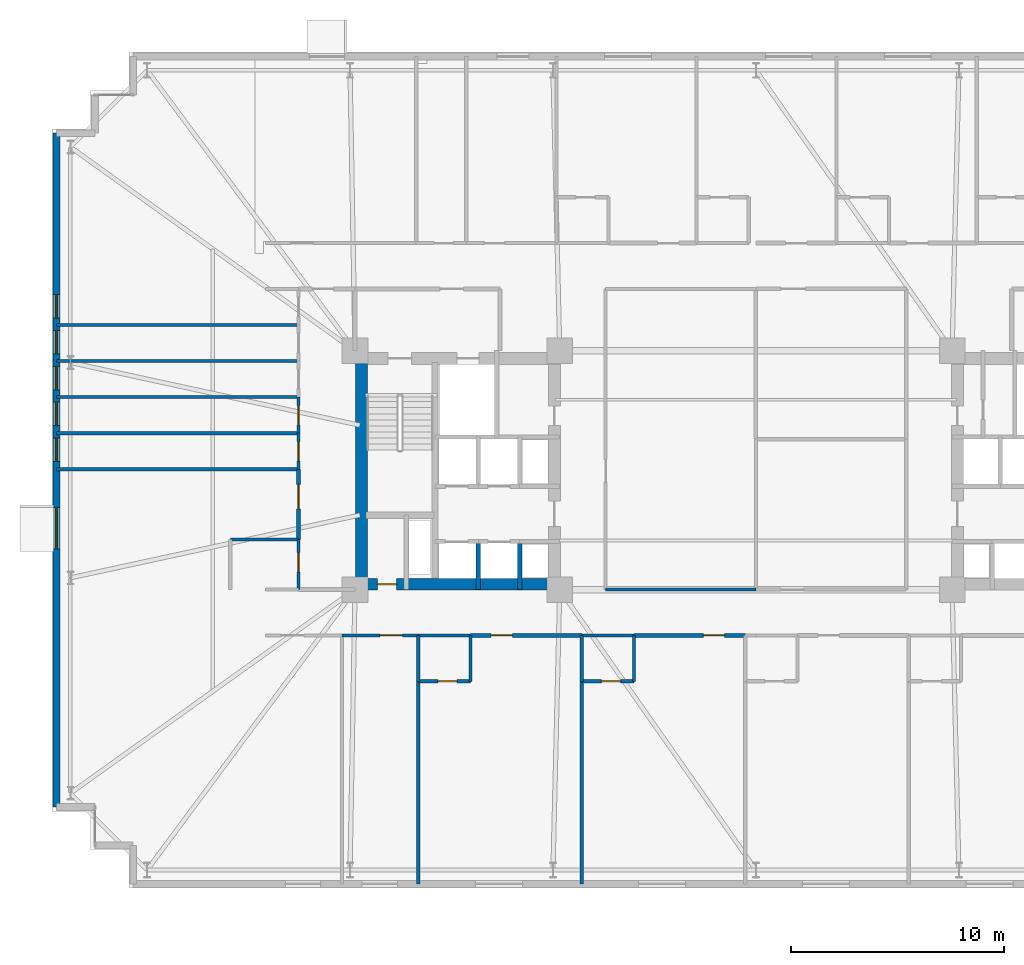
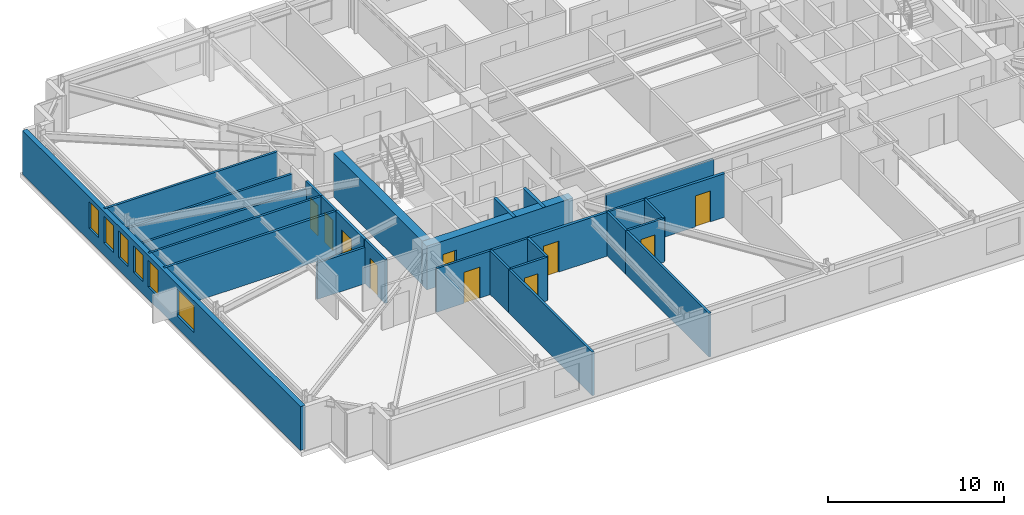
# One storey, part 14 of 22: 29 walls, 10 doors, 6 windows, 16 openings.
"""IFC4 building model written with IfcOpenShell, lengths in metres."""

from ifc_helpers import new_model, si_unit, direction, frame, frame_2d, origin, place, context, subcontext, project, spatial, rectangle, extrude, material, layer, layer_set, type_object, element, fill, save


model = new_model("IFC4")

# Units and contexts
model_context = context("Model", 3, precision=1e-05, world=origin(), true_north=direction((0.0, 1.0)))
body_context = subcontext(model_context, "Body", "Model", "MODEL_VIEW")
ifc_project = project(units=[si_unit("LENGTHUNIT", "METRE"), si_unit("AREAUNIT", "SQUARE_METRE"), si_unit("VOLUMEUNIT", "CUBIC_METRE"), si_unit("PLANEANGLEUNIT", "RADIAN"), si_unit("MASSUNIT", "GRAM", prefix="KILO")], contexts=[model_context])

# Site, building, storey
site_placement = place(None, origin())
site = spatial("IfcSite", under=ifc_project, at=site_placement, CompositionType="ELEMENT")
building_placement = place(site_placement, origin())
building = spatial("IfcBuilding", under=site, at=building_placement, Name="Qobustan Lattice House", CompositionType="ELEMENT")
storey_placement = place(building_placement, frame((0.0, 0.0, 33.699951171875)))
storey = spatial("IfcBuildingStorey", under=building, at=storey_placement, Name="L08", CompositionType="ELEMENT", Elevation=33.699951171875)

# Wall, opening, door
ifc_material_1 = material(Name="Concrete C60/75", Category="concrete")
ifc_layer_1 = layer(ifc_material_1, 0.56005859375)
ifc_layer_set_1 = layer_set([ifc_layer_1], Name="Concrete C60/75")
wall_type_1 = type_object("IfcWallType", Name="WAL-CORE-600", PredefinedType="SHEAR", material=ifc_layer_set_1)
wall_1_placement = place(storey_placement, frame((-18.800048828125, -5.35009765625, 0.0), z_axis=(0.0, 0.0, 1.0), x_axis=(1.0, 0.0, 0.0)))
wall_1 = element("IfcWall", 1, at=wall_1_placement, inside=storey, type_object=wall_type_1, Name="L08 split-core shear wall CW-S", PredefinedType="SHEAR", context=body_context, shape_type="SweptSolid", body=[
    extrude(rectangle(XDim=9.60009765625, YDim=0.56005859375, at=frame_2d((4.800048828125, 0.0))), origin(), (0.0, 0.0, 1.0), 3.03515625),
])
opening_1_placement = place(wall_1_placement, frame((1.050048828125, 0.0, 0.0)))
opening_1 = element("IfcOpeningElement", 2, at=opening_1_placement, cuts=wall_1, Name="Opening RD-01", PredefinedType="OPENING", context=body_context, shape_type="SweptSolid", body=[
    extrude(rectangle(XDim=0.89990234375, YDim=2.10009765625, at=frame_2d((0.449951171875, 1.050048828125))), frame((0.0, 0.2900390625, 0.0), z_axis=(0.0, -1.0, 0.0), x_axis=(1.0, 0.0, 0.0)), (0.0, 0.0, 1.0), 0.580078125),
])
ifc_material_2 = material(Name="Persian walnut timber and steel frame door", Category="steel")
door_type_1 = type_object("IfcDoorType", Name="DOR-RISER-FD-900x2100", OperationType="NOTDEFINED", PredefinedType="DOOR", material=ifc_material_2)
door_1_placement = place(opening_1_placement, origin())
door_1 = element("IfcDoor", 3, at=door_1_placement, inside=storey, type_object=door_type_1, Name="L08 core service riser access door W", OperationType="SINGLE_SWING_LEFT", OverallHeight=2.10009765625, OverallWidth=0.89990234375, PredefinedType="DOOR", context=body_context, shape_type="SweptSolid", body=[
    extrude(rectangle(XDim=0.89990234375, YDim=2.10009765625, at=frame_2d((0.449951171875, 1.050048828125))), frame((0.0, 0.02490234375, 0.0), z_axis=(0.0, -1.0, 0.0), x_axis=(1.0, 0.0, 0.0)), (0.0, 0.0, 1.0), 0.050048828125),
])
fill(opening_1, door_1)

# Wall
wall_2_placement = place(storey_placement, frame((-18.489990234375, -5.050048828125, 0.0), z_axis=(0.0, 0.0, 1.0), x_axis=(0.0, 1.0, 0.0)))
element("IfcWall", 4, at=wall_2_placement, inside=storey, type_object=wall_type_1, Name="L08 split-core shear wall CW-W", PredefinedType="SHEAR", context=body_context, shape_type="SweptSolid", body=[
    extrude(rectangle(XDim=10.10009765625, YDim=0.56005859375, at=frame_2d((5.050048828125, 0.0))), origin(), (0.0, 0.0, 1.0), 3.03515625),
])

# Wall, openings, windows
ifc_material_3 = material(Name="Precast concrete C40/50", Category="concrete")
ifc_layer_2 = layer(ifc_material_3, 0.320068359375)
ifc_layer_set_2 = layer_set([ifc_layer_2], Name="Precast concrete C40/50")
wall_type_2 = type_object("IfcWallType", Name="WAL-EXT-STONE-320", PredefinedType="SOLIDWALL", material=ifc_layer_set_2)
wall_3_placement = place(storey_placement, frame((-32.800048828125, -15.800048828125, 0.0), z_axis=(0.0, 0.0, 1.0), x_axis=(0.0, 1.0, 0.0)))
wall_3 = element("IfcWall", 5, at=wall_3_placement, inside=storey, type_object=wall_type_2, Name="L08 exterior limestone-clad wall 5", PredefinedType="SOLIDWALL", context=body_context, shape_type="SweptSolid", body=[
    extrude(rectangle(XDim=31.60009765625, YDim=0.320068359375, at=frame_2d((15.800048828125, 0.0))), origin(), (0.0, 0.0, 1.0), 3.03515625),
])
opening_2_placement = place(wall_3_placement, frame((12.10498046875, 0.0, 0.85009765625)))
opening_2 = element("IfcOpeningElement", 6, at=opening_2_placement, cuts=wall_3, Name="Opening WN-08", PredefinedType="OPENING", context=body_context, shape_type="SweptSolid", body=[
    extrude(rectangle(XDim=1.949951171875, YDim=1.85009765625, at=frame_2d((0.97509765625, 0.925048828125))), frame((0.0, 0.169921875, 0.0), z_axis=(0.0, -1.0, 0.0), x_axis=(1.0, 0.0, 0.0)), (0.0, 0.0, 1.0), 0.340087890625),
])
opening_3_placement = place(wall_3_placement, frame((16.2099609375, 0.0, 0.85009765625)))
opening_3 = element("IfcOpeningElement", 7, at=opening_3_placement, cuts=wall_3, Name="Opening WN-04", PredefinedType="OPENING", context=body_context, shape_type="SweptSolid", body=[
    extrude(rectangle(XDim=1.10009765625, YDim=1.85009765625, at=frame_2d((0.550048828125, 0.925048828125))), frame((0.0, 0.169921875, 0.0), z_axis=(0.0, -1.0, 0.0), x_axis=(1.0, 0.0, 0.0)), (0.0, 0.0, 1.0), 0.340087890625),
])
opening_4_placement = place(wall_3_placement, frame((17.889892578125, 0.0, 0.85009765625)))
opening_4 = element("IfcOpeningElement", 8, at=opening_4_placement, cuts=wall_3, Name="Opening WN-04", PredefinedType="OPENING", context=body_context, shape_type="SweptSolid", body=[
    extrude(rectangle(XDim=1.10009765625, YDim=1.85009765625, at=frame_2d((0.550048828125, 0.925048828125))), frame((0.0, 0.169921875, 0.0), z_axis=(0.0, -1.0, 0.0), x_axis=(1.0, 0.0, 0.0)), (0.0, 0.0, 1.0), 0.340087890625),
])
opening_5_placement = place(wall_3_placement, frame((19.570068359375, 0.0, 0.85009765625)))
opening_5 = element("IfcOpeningElement", 9, at=opening_5_placement, cuts=wall_3, Name="Opening WN-04", PredefinedType="OPENING", context=body_context, shape_type="SweptSolid", body=[
    extrude(rectangle(XDim=1.10009765625, YDim=1.85009765625, at=frame_2d((0.550048828125, 0.925048828125))), frame((0.0, 0.169921875, 0.0), z_axis=(0.0, -1.0, 0.0), x_axis=(1.0, 0.0, 0.0)), (0.0, 0.0, 1.0), 0.340087890625),
])
opening_6_placement = place(wall_3_placement, frame((21.25, 0.0, 0.85009765625)))
opening_6 = element("IfcOpeningElement", 10, at=opening_6_placement, cuts=wall_3, Name="Opening WN-04", PredefinedType="OPENING", context=body_context, shape_type="SweptSolid", body=[
    extrude(rectangle(XDim=1.10009765625, YDim=1.85009765625, at=frame_2d((0.550048828125, 0.925048828125))), frame((0.0, 0.169921875, 0.0), z_axis=(0.0, -1.0, 0.0), x_axis=(1.0, 0.0, 0.0)), (0.0, 0.0, 1.0), 0.340087890625),
])
opening_7_placement = place(wall_3_placement, frame((22.929931640625, 0.0, 0.85009765625)))
opening_7 = element("IfcOpeningElement", 11, at=opening_7_placement, cuts=wall_3, Name="Opening WN-04", PredefinedType="OPENING", context=body_context, shape_type="SweptSolid", body=[
    extrude(rectangle(XDim=1.10009765625, YDim=1.85009765625, at=frame_2d((0.550048828125, 0.925048828125))), frame((0.0, 0.169921875, 0.0), z_axis=(0.0, -1.0, 0.0), x_axis=(1.0, 0.0, 0.0)), (0.0, 0.0, 1.0), 0.340087890625),
])
ifc_material_4 = material(Name="Double-glazed low-E aluminium window", Category="aluminium")
window_type_1 = type_object("IfcWindowType", Name="WIN-KIT-1950x1850", PartitioningType="SINGLE_PANEL", PredefinedType="WINDOW", material=ifc_material_4)
window_1_placement = place(opening_2_placement, origin())
window_1 = element("IfcWindow", 12, at=window_1_placement, inside=storey, type_object=window_type_1, Name="L08 Shared kitchen L08W window", OverallHeight=1.85009765625, OverallWidth=1.949951171875, PartitioningType="SINGLE_PANEL", PredefinedType="WINDOW", context=body_context, shape_type="SweptSolid", body=[
    extrude(rectangle(XDim=1.949951171875, YDim=1.85009765625, at=frame_2d((0.97509765625, 0.925048828125))), frame((0.0, 0.030029296875, 0.0), z_axis=(0.0, -1.0, 0.0), x_axis=(1.0, 0.0, 0.0)), (0.0, 0.0, 1.0), 0.06005859375),
])
fill(opening_2, window_1)
ifc_material_5 = material(Name="Double-glazed low-E aluminium window", Category="aluminium")
window_type_2 = type_object("IfcWindowType", Name="WIN-NAR-1100x1850", PartitioningType="SINGLE_PANEL", PredefinedType="WINDOW", material=ifc_material_5)
window_2_placement = place(opening_3_placement, origin())
window_2 = element("IfcWindow", 13, at=window_2_placement, inside=storey, type_object=window_type_2, Name="L08 Cluster bedroom L08W1 window", OverallHeight=1.85009765625, OverallWidth=1.10009765625, PartitioningType="SINGLE_PANEL", PredefinedType="WINDOW", context=body_context, shape_type="SweptSolid", body=[
    extrude(rectangle(XDim=1.10009765625, YDim=1.85009765625, at=frame_2d((0.550048828125, 0.925048828125))), frame((0.0, 0.030029296875, 0.0), z_axis=(0.0, -1.0, 0.0), x_axis=(1.0, 0.0, 0.0)), (0.0, 0.0, 1.0), 0.06005859375),
])
fill(opening_3, window_2)
window_3_placement = place(opening_4_placement, origin())
window_3 = element("IfcWindow", 14, at=window_3_placement, inside=storey, type_object=window_type_2, Name="L08 Cluster bedroom L08W2 window", OverallHeight=1.85009765625, OverallWidth=1.10009765625, PartitioningType="SINGLE_PANEL", PredefinedType="WINDOW", context=body_context, shape_type="SweptSolid", body=[
    extrude(rectangle(XDim=1.10009765625, YDim=1.85009765625, at=frame_2d((0.550048828125, 0.925048828125))), frame((0.0, 0.030029296875, 0.0), z_axis=(0.0, -1.0, 0.0), x_axis=(1.0, 0.0, 0.0)), (0.0, 0.0, 1.0), 0.06005859375),
])
fill(opening_4, window_3)
window_4_placement = place(opening_5_placement, origin())
window_4 = element("IfcWindow", 15, at=window_4_placement, inside=storey, type_object=window_type_2, Name="L08 Cluster bedroom L08W3 window", OverallHeight=1.85009765625, OverallWidth=1.10009765625, PartitioningType="SINGLE_PANEL", PredefinedType="WINDOW", context=body_context, shape_type="SweptSolid", body=[
    extrude(rectangle(XDim=1.10009765625, YDim=1.85009765625, at=frame_2d((0.550048828125, 0.925048828125))), frame((0.0, 0.030029296875, 0.0), z_axis=(0.0, -1.0, 0.0), x_axis=(1.0, 0.0, 0.0)), (0.0, 0.0, 1.0), 0.06005859375),
])
fill(opening_5, window_4)
window_5_placement = place(opening_6_placement, origin())
window_5 = element("IfcWindow", 16, at=window_5_placement, inside=storey, type_object=window_type_2, Name="L08 Cluster bedroom L08W4 window", OverallHeight=1.85009765625, OverallWidth=1.10009765625, PartitioningType="SINGLE_PANEL", PredefinedType="WINDOW", context=body_context, shape_type="SweptSolid", body=[
    extrude(rectangle(XDim=1.10009765625, YDim=1.85009765625, at=frame_2d((0.550048828125, 0.925048828125))), frame((0.0, 0.030029296875, 0.0), z_axis=(0.0, -1.0, 0.0), x_axis=(1.0, 0.0, 0.0)), (0.0, 0.0, 1.0), 0.06005859375),
])
fill(opening_6, window_5)
window_6_placement = place(opening_7_placement, origin())
window_6 = element("IfcWindow", 17, at=window_6_placement, inside=storey, type_object=window_type_2, Name="L08 Cluster bedroom L08W5 window", OverallHeight=1.85009765625, OverallWidth=1.10009765625, PartitioningType="SINGLE_PANEL", PredefinedType="WINDOW", context=body_context, shape_type="SweptSolid", body=[
    extrude(rectangle(XDim=1.10009765625, YDim=1.85009765625, at=frame_2d((0.550048828125, 0.925048828125))), frame((0.0, 0.030029296875, 0.0), z_axis=(0.0, -1.0, 0.0), x_axis=(1.0, 0.0, 0.0)), (0.0, 0.0, 1.0), 0.06005859375),
])
fill(opening_7, window_6)

# Wall, opening, door
ifc_material_6 = material(Name="Gypsum fireboard acoustic partition", Category="gypsum")
ifc_layer_3 = layer(ifc_material_6, 0.179931640625)
ifc_layer_set_3 = layer_set([ifc_layer_3], Name="Gypsum fireboard acoustic partition")
wall_type_3 = type_object("IfcWallType", Name="WAL-FIRE-180", PredefinedType="PARTITIONING", material=ifc_layer_set_3)
wall_4_placement = place(storey_placement, frame((-8.1669921875, -7.75, 0.0), z_axis=(0.0, 0.0, 1.0), x_axis=(-1.0, 0.0, 0.0)))
wall_4 = element("IfcWall", 18, at=wall_4_placement, inside=storey, type_object=wall_type_3, Name="L08 interior partition 58", PredefinedType="PARTITIONING", context=body_context, shape_type="SweptSolid", body=[
    extrude(rectangle(XDim=5.216064453125, YDim=0.179931640625, at=frame_2d((2.60791015625, 0.0))), origin(), (0.0, 0.0, 1.0), 3.03515625),
])
opening_8_placement = place(wall_4_placement, frame((3.25390625, 0.0, 0.0)))
opening_8 = element("IfcOpeningElement", 19, at=opening_8_placement, cuts=wall_4, Name="Opening FD-02", PredefinedType="OPENING", context=body_context, shape_type="SweptSolid", body=[
    extrude(rectangle(XDim=1.0, YDim=2.14990234375, at=frame_2d((0.5, 1.074951171875))), frame((0.0, 0.099853515625, 0.0), z_axis=(0.0, -1.0, 0.0), x_axis=(1.0, 0.0, 0.0)), (0.0, 0.0, 1.0), 0.199951171875),
])
ifc_material_7 = material(Name="Persian walnut timber and steel frame door", Category="steel")
door_type_2 = type_object("IfcDoorType", Name="DOR-UNIT-FD-1000x2150", OperationType="NOTDEFINED", PredefinedType="DOOR", material=ifc_material_7)
door_2_placement = place(opening_8_placement, origin())
door_2 = element("IfcDoor", 20, at=door_2_placement, inside=storey, type_object=door_type_2, Name="L08 South-west floor corridor to Kitchenette and studio apartment L08-S2 door", OperationType="SINGLE_SWING_LEFT", OverallHeight=2.14990234375, OverallWidth=1.0, PredefinedType="DOOR", context=body_context, shape_type="SweptSolid", body=[
    extrude(rectangle(XDim=1.0, YDim=2.14990234375, at=frame_2d((0.5, 1.074951171875))), frame((0.0, 0.02490234375, 0.0), z_axis=(0.0, -1.0, 0.0), x_axis=(1.0, 0.0, 0.0)), (0.0, 0.0, 1.0), 0.050048828125),
])
fill(opening_8, door_2)

wall_5_placement = place(storey_placement, frame((-0.5, -7.75, 0.0), z_axis=(0.0, 0.0, 1.0), x_axis=(-1.0, 0.0, 0.0)))
wall_5 = element("IfcWall", 21, at=wall_5_placement, inside=storey, type_object=wall_type_3, Name="L08 interior partition 60", PredefinedType="PARTITIONING", context=body_context, shape_type="SweptSolid", body=[
    extrude(rectangle(XDim=5.217041015625, YDim=0.179931640625, at=frame_2d((2.6083984375, 0.0))), origin(), (0.0, 0.0, 1.0), 3.03515625),
])
opening_9_placement = place(wall_5_placement, frame((0.962158203125, 0.0, 0.0)))
opening_9 = element("IfcOpeningElement", 22, at=opening_9_placement, cuts=wall_5, Name="Opening FD-02", PredefinedType="OPENING", context=body_context, shape_type="SweptSolid", body=[
    extrude(rectangle(XDim=1.0, YDim=2.14990234375, at=frame_2d((0.5, 1.074951171875))), frame((0.0, 0.099853515625, 0.0), z_axis=(0.0, -1.0, 0.0), x_axis=(1.0, 0.0, 0.0)), (0.0, 0.0, 1.0), 0.199951171875),
])
door_3_placement = place(opening_9_placement, origin())
door_3 = element("IfcDoor", 23, at=door_3_placement, inside=storey, type_object=door_type_2, Name="L08 South-west floor corridor to Kitchenette and studio apartment L08-S3 door", OperationType="SINGLE_SWING_RIGHT", OverallHeight=2.14990234375, OverallWidth=1.0, PredefinedType="DOOR", context=body_context, shape_type="SweptSolid", body=[
    extrude(rectangle(XDim=1.0, YDim=2.14990234375, at=frame_2d((0.5, 1.074951171875))), frame((0.0, 0.02490234375, 0.0), z_axis=(0.0, -1.0, 0.0), x_axis=(1.0, 0.0, 0.0)), (0.0, 0.0, 1.0), 0.050048828125),
])
fill(opening_9, door_3)

ifc_material_8 = material(Name="Acoustic twin-stud gypsum partition", Category="gypsum")
ifc_layer_4 = layer(ifc_material_8, 0.14990234375)
ifc_layer_set_4 = layer_set([ifc_layer_4], Name="Acoustic twin-stud gypsum partition")
wall_type_4 = type_object("IfcWallType", Name="WAL-PART-150", PredefinedType="PARTITIONING", material=ifc_layer_set_4)
wall_6_placement = place(storey_placement, frame((-15.8330078125, -7.75, 0.0), z_axis=(0.0, 0.0, 1.0), x_axis=(-1.0, 0.0, 0.0)))
wall_6 = element("IfcWall", 24, at=wall_6_placement, inside=storey, type_object=wall_type_4, Name="L08 interior partition 57", PredefinedType="PARTITIONING", context=body_context, shape_type="SweptSolid", body=[
    extrude(rectangle(XDim=3.58349609375, YDim=0.14990234375, at=frame_2d((1.791748046875, 0.0))), origin(), (0.0, 0.0, 1.0), 3.03515625),
])
opening_10_placement = place(wall_6_placement, frame((0.751708984375, 0.0, 0.0)))
opening_10 = element("IfcOpeningElement", 25, at=opening_10_placement, cuts=wall_6, Name="Opening ID-02", PredefinedType="OPENING", context=body_context, shape_type="SweptSolid", body=[
    extrude(rectangle(XDim=1.050048828125, YDim=2.14990234375, at=frame_2d((0.52490234375, 1.074951171875))), frame((0.0, 0.0849609375, 0.0), z_axis=(0.0, -1.0, 0.0), x_axis=(1.0, 0.0, 0.0)), (0.0, 0.0, 1.0), 0.169921875),
])
ifc_material_9 = material(Name="Persian walnut timber and steel frame door", Category="steel")
door_type_3 = type_object("IfcDoorType", Name="DOR-STUDY-1050x2150", OperationType="NOTDEFINED", PredefinedType="DOOR", material=ifc_material_9)
door_4_placement = place(opening_10_placement, origin())
door_4 = element("IfcDoor", 26, at=door_4_placement, inside=storey, type_object=door_type_3, Name="L08 South-west floor corridor to Focus study room S1B door", OperationType="SINGLE_SWING_RIGHT", OverallHeight=2.14990234375, OverallWidth=1.050048828125, PredefinedType="DOOR", context=body_context, shape_type="SweptSolid", body=[
    extrude(rectangle(XDim=1.050048828125, YDim=2.14990234375, at=frame_2d((0.52490234375, 1.074951171875))), frame((0.0, 0.02490234375, 0.0), z_axis=(0.0, -1.0, 0.0), x_axis=(1.0, 0.0, 0.0)), (0.0, 0.0, 1.0), 0.050048828125),
])
fill(opening_10, door_4)

# Wall
wall_7_placement = place(storey_placement, frame((-7.050048828125, -5.60009765625, 0.0), z_axis=(0.0, 0.0, 1.0), x_axis=(1.0, 0.0, 0.0)))
element("IfcWall", 27, at=wall_7_placement, inside=storey, type_object=wall_type_4, Name="L08 interior partition 63", PredefinedType="PARTITIONING", context=body_context, shape_type="SweptSolid", body=[
    extrude(rectangle(XDim=7.050048828125, YDim=0.14990234375, at=frame_2d((3.52490234375, 0.0))), origin(), (0.0, 0.0, 1.0), 2.52001953125),
])

# Wall, opening, door
wall_8_placement = place(storey_placement, frame((-21.449951171875, 0.0400390625, 0.0), z_axis=(0.0, 0.0, 1.0), x_axis=(0.0, 1.0, 0.0)))
wall_8 = element("IfcWall", 28, at=wall_8_placement, inside=storey, type_object=wall_type_4, Name="L08 interior partition 78", PredefinedType="PARTITIONING", context=body_context, shape_type="SweptSolid", body=[
    extrude(rectangle(XDim=1.69189453125, YDim=0.14990234375, at=frame_2d((0.845947265625, 0.0))), origin(), (0.0, 0.0, 1.0), 3.03515625),
])
opening_11_placement = place(wall_8_placement, frame((0.39599609375, 0.0, 0.0)))
opening_11 = element("IfcOpeningElement", 29, at=opening_11_placement, cuts=wall_8, Name="Opening WD-01", PredefinedType="OPENING", context=body_context, shape_type="SweptSolid", body=[
    extrude(rectangle(XDim=0.89990234375, YDim=2.10009765625, at=frame_2d((0.449951171875, 1.050048828125))), frame((0.0, 0.0849609375, 0.0), z_axis=(0.0, -1.0, 0.0), x_axis=(1.0, 0.0, 0.0)), (0.0, 0.0, 1.0), 0.169921875),
])
ifc_material_10 = material(Name="Persian walnut timber and steel frame door", Category="steel")
door_type_4 = type_object("IfcDoorType", Name="DOR-WET-900x2100", OperationType="NOTDEFINED", PredefinedType="DOOR", material=ifc_material_10)
door_5_placement = place(opening_11_placement, origin())
door_5 = element("IfcDoor", 30, at=door_5_placement, inside=storey, type_object=door_type_4, Name="L08 Residence entrance hall L08W to Cluster bedroom L08W1 door", OperationType="SINGLE_SWING_LEFT", OverallHeight=2.10009765625, OverallWidth=0.89990234375, PredefinedType="DOOR", context=body_context, shape_type="SweptSolid", body=[
    extrude(rectangle(XDim=0.89990234375, YDim=2.10009765625, at=frame_2d((0.449951171875, 1.050048828125))), frame((0.0, 0.02490234375, 0.0), z_axis=(0.0, -1.0, 0.0), x_axis=(1.0, 0.0, 0.0)), (0.0, 0.0, 1.0), 0.050048828125),
])
fill(opening_11, door_5)

wall_9_placement = place(storey_placement, frame((-21.449951171875, 1.73193359375, 0.0), z_axis=(0.0, 0.0, 1.0), x_axis=(0.0, 1.0, 0.0)))
wall_9 = element("IfcWall", 31, at=wall_9_placement, inside=storey, type_object=wall_type_4, Name="L08 interior partition 79", PredefinedType="PARTITIONING", context=body_context, shape_type="SweptSolid", body=[
    extrude(rectangle(XDim=1.692138671875, YDim=0.14990234375, at=frame_2d((0.84619140625, 0.0))), origin(), (0.0, 0.0, 1.0), 3.03515625),
])
opening_12_placement = place(wall_9_placement, frame((0.39599609375, 0.0, 0.0)))
opening_12 = element("IfcOpeningElement", 32, at=opening_12_placement, cuts=wall_9, Name="Opening WD-01", PredefinedType="OPENING", context=body_context, shape_type="SweptSolid", body=[
    extrude(rectangle(XDim=0.89990234375, YDim=2.10009765625, at=frame_2d((0.449951171875, 1.050048828125))), frame((0.0, 0.0849609375, 0.0), z_axis=(0.0, -1.0, 0.0), x_axis=(1.0, 0.0, 0.0)), (0.0, 0.0, 1.0), 0.169921875),
])
door_6_placement = place(opening_12_placement, origin())
door_6 = element("IfcDoor", 33, at=door_6_placement, inside=storey, type_object=door_type_4, Name="L08 Residence entrance hall L08W to Cluster bedroom L08W2 door", OperationType="SINGLE_SWING_RIGHT", OverallHeight=2.10009765625, OverallWidth=0.89990234375, PredefinedType="DOOR", context=body_context, shape_type="SweptSolid", body=[
    extrude(rectangle(XDim=0.89990234375, YDim=2.10009765625, at=frame_2d((0.449951171875, 1.050048828125))), frame((0.0, 0.02490234375, 0.0), z_axis=(0.0, -1.0, 0.0), x_axis=(1.0, 0.0, 0.0)), (0.0, 0.0, 1.0), 0.050048828125),
])
fill(opening_12, door_6)

# Walls
wall_10_placement = place(storey_placement, frame((-32.800048828125, 1.73193359375, 0.0), z_axis=(0.0, 0.0, 1.0), x_axis=(1.0, 0.0, 0.0)))
element("IfcWall", 34, at=wall_10_placement, inside=storey, type_object=wall_type_4, Name="L08 interior partition 86", PredefinedType="PARTITIONING", context=body_context, shape_type="SweptSolid", body=[
    extrude(rectangle(XDim=11.35009765625, YDim=0.14990234375, at=frame_2d((5.675048828125, 0.0))), origin(), (0.0, 0.0, 1.0), 3.03515625),
])
for number, where, z_axis, x_axis, name in (
    (35, (-32.800048828125, 3.424072265625, 0.0), (0.0, 0.0, 1.0), (1.0, 0.0, 0.0), "L08 interior partition 87"),
    (36, (-32.800048828125, 5.115966796875, 0.0), (0.0, 0.0, 1.0), (1.0, 0.0, 0.0), "L08 interior partition 88"),
):
    element("IfcWall", number, at=place(storey_placement, frame(where, z_axis=z_axis, x_axis=x_axis)), inside=storey, type_object=wall_type_4, Name=name, PredefinedType="PARTITIONING", context=body_context, shape_type="SweptSolid", body=[
        extrude(rectangle(XDim=11.35009765625, YDim=0.14990234375, at=frame_2d((5.675048828125, 0.0))), origin(), (0.0, 0.0, 1.0), 2.52001953125),
    ])
wall_11_placement = place(storey_placement, frame((-32.800048828125, 6.80810546875, 0.0), z_axis=(0.0, 0.0, 1.0), x_axis=(1.0, 0.0, 0.0)))
element("IfcWall", 37, at=wall_11_placement, inside=storey, type_object=wall_type_4, Name="L08 interior partition 89", PredefinedType="PARTITIONING", context=body_context, shape_type="SweptSolid", body=[
    extrude(rectangle(XDim=11.35009765625, YDim=0.14990234375, at=frame_2d((5.675048828125, 0.0))), origin(), (0.0, 0.0, 1.0), 3.03515625),
])
for number, where, z_axis, x_axis, name in (
    (38, (-15.8330078125, -9.89990234375, 0.0), (0.0, 0.0, 1.0), (0.0, -1.0, 0.0), "L08 interior partition 124"),
    (39, (-8.1669921875, -9.89990234375, 0.0), (0.0, 0.0, 1.0), (0.0, -1.0, 0.0), "L08 interior partition 128"),
):
    element("IfcWall", number, at=place(storey_placement, frame(where, z_axis=z_axis, x_axis=x_axis)), inside=storey, type_object=wall_type_4, Name=name, PredefinedType="PARTITIONING", context=body_context, shape_type="SweptSolid", body=[
        extrude(rectangle(XDim=9.5, YDim=0.14990234375, at=frame_2d((4.75, 0.0))), origin(), (0.0, 0.0, 1.0), 3.03515625),
    ])

# Wall, opening, door
ifc_material_11 = material(Name="High-mass acoustic twin-stud partition", Category="gypsum")
ifc_layer_5 = layer(ifc_material_11, 0.1650390625)
ifc_layer_set_5 = layer_set([ifc_layer_5], Name="High-mass acoustic twin-stud partition")
wall_type_5 = type_object("IfcWallType", Name="WAL-PART-165", PredefinedType="PARTITIONING", material=ifc_layer_set_5)
wall_12_placement = place(storey_placement, frame((-21.449951171875, -3.25, 0.0), z_axis=(0.0, 0.0, 1.0), x_axis=(0.0, 1.0, 0.0)))
wall_12 = element("IfcWall", 40, at=wall_12_placement, inside=storey, type_object=wall_type_5, Name="L08 interior partition 77", PredefinedType="PARTITIONING", context=body_context, shape_type="SweptSolid", body=[
    extrude(rectangle(XDim=3.2900390625, YDim=0.1650390625, at=frame_2d((1.64501953125, 0.0))), origin(), (0.0, 0.0, 1.0), 3.03515625),
])
opening_13_placement = place(wall_12_placement, frame((1.4375, 0.0, 0.0)))
opening_13 = element("IfcOpeningElement", 41, at=opening_13_placement, cuts=wall_12, Name="Opening ID-03", PredefinedType="OPENING", context=body_context, shape_type="SweptSolid", body=[
    extrude(rectangle(XDim=1.14990234375, YDim=2.14990234375, at=frame_2d((0.574951171875, 1.074951171875))), frame((0.0, 0.092529296875, 0.0), z_axis=(0.0, -1.0, 0.0), x_axis=(1.0, 0.0, 0.0)), (0.0, 0.0, 1.0), 0.18505859375),
])
ifc_material_12 = material(Name="Persian walnut timber and steel frame door", Category="steel")
door_type_5 = type_object("IfcDoorType", Name="DOR-KITCH-1150x2150", OperationType="NOTDEFINED", PredefinedType="DOOR", material=ifc_material_12)
door_7_placement = place(opening_13_placement, origin())
door_7 = element("IfcDoor", 42, at=door_7_placement, inside=storey, type_object=door_type_5, Name="L08 Residence entrance hall L08W to Shared kitchen L08W door", OperationType="SINGLE_SWING_RIGHT", OverallHeight=2.14990234375, OverallWidth=1.14990234375, PredefinedType="DOOR", context=body_context, shape_type="SweptSolid", body=[
    extrude(rectangle(XDim=1.14990234375, YDim=2.14990234375, at=frame_2d((0.574951171875, 1.074951171875))), frame((0.0, 0.02490234375, 0.0), z_axis=(0.0, -1.0, 0.0), x_axis=(1.0, 0.0, 0.0)), (0.0, 0.0, 1.0), 0.050048828125),
])
fill(opening_13, door_7)

# Walls
wall_13_placement = place(storey_placement, frame((-32.800048828125, 0.0400390625, 0.0), z_axis=(0.0, 0.0, 1.0), x_axis=(1.0, 0.0, 0.0)))
element("IfcWall", 43, at=wall_13_placement, inside=storey, type_object=wall_type_5, Name="L08 interior partition 85", PredefinedType="PARTITIONING", context=body_context, shape_type="SweptSolid", body=[
    extrude(rectangle(XDim=11.35009765625, YDim=0.1650390625, at=frame_2d((5.675048828125, 0.0))), origin(), (0.0, 0.0, 1.0), 3.03515625),
])
ifc_material_13 = material(Name="Concrete C40/50", Category="concrete")
ifc_layer_6 = layer(ifc_material_13, 0.199951171875)
ifc_layer_set_6 = layer_set([ifc_layer_6], Name="Concrete C40/50")
wall_type_6 = type_object("IfcWallType", Name="WAL-SHAFT-200", PredefinedType="PARTITIONING", material=ifc_layer_set_6)
for number, where, z_axis, x_axis, name in (
    (44, (-13.02001953125, -5.60009765625, 0.0), (0.0, 0.0, 1.0), (0.0, 1.0, 0.0), "L08 interior partition 14"),
    (45, (-11.080078125, -5.60009765625, 0.0), (0.0, 0.0, 1.0), (0.0, 1.0, 0.0), "L08 interior partition 15"),
):
    element("IfcWall", number, at=place(storey_placement, frame(where, z_axis=z_axis, x_axis=x_axis)), inside=storey, type_object=wall_type_6, Name=name, PredefinedType="PARTITIONING", context=body_context, shape_type="SweptSolid", body=[
        extrude(rectangle(XDim=2.25, YDim=0.199951171875, at=frame_2d((1.125, 0.0))), origin(), (0.0, 0.0, 1.0), 3.03515625),
    ])
ifc_material_14 = material(Name="Moisture-resistant acoustic plumbing wall", Category="gypsum")
ifc_layer_7 = layer(ifc_material_14, 0.14990234375)
ifc_layer_set_7 = layer_set([ifc_layer_7], Name="Moisture-resistant acoustic plumbing wall")
wall_type_7 = type_object("IfcWallType", Name="WAL-WET-150", PredefinedType="PLUMBINGWALL", material=ifc_layer_set_7)
for number, where, z_axis, x_axis, name in (
    (46, (-13.383056640625, -7.75, 0.0), (0.0, 0.0, 1.0), (-1.0, 0.0, 0.0), "L08 interior partition 59"),
    (47, (-5.717041015625, -7.75, 0.0), (0.0, 0.0, 1.0), (-1.0, 0.0, 0.0), "L08 interior partition 61"),
):
    element("IfcWall", number, at=place(storey_placement, frame(where, z_axis=z_axis, x_axis=x_axis)), inside=storey, type_object=wall_type_7, Name=name, PredefinedType="PLUMBINGWALL", context=body_context, shape_type="SweptSolid", body=[
        extrude(rectangle(XDim=2.449951171875, YDim=0.14990234375, at=frame_2d((1.22509765625, 0.0))), origin(), (0.0, 0.0, 1.0), 3.03515625),
    ])

# Wall, opening, door
wall_14_placement = place(storey_placement, frame((-21.449951171875, -5.60009765625, 0.0), z_axis=(0.0, 0.0, 1.0), x_axis=(0.0, 1.0, 0.0)))
wall_14 = element("IfcWall", 48, at=wall_14_placement, inside=storey, type_object=wall_type_7, Name="L08 interior partition 76", PredefinedType="PLUMBINGWALL", context=body_context, shape_type="SweptSolid", body=[
    extrude(rectangle(XDim=2.35009765625, YDim=0.14990234375, at=frame_2d((1.175048828125, 0.0))), origin(), (0.0, 0.0, 1.0), 3.03515625),
])
opening_14_placement = place(wall_14_placement, frame((0.833740234375, 0.0, 0.0)))
opening_14 = element("IfcOpeningElement", 49, at=opening_14_placement, cuts=wall_14, Name="Opening WD-01", PredefinedType="OPENING", context=body_context, shape_type="SweptSolid", body=[
    extrude(rectangle(XDim=0.89990234375, YDim=2.10009765625, at=frame_2d((0.449951171875, 1.050048828125))), frame((0.0, 0.0849609375, 0.0), z_axis=(0.0, -1.0, 0.0), x_axis=(1.0, 0.0, 0.0)), (0.0, 0.0, 1.0), 0.169921875),
])
door_8_placement = place(opening_14_placement, origin())
door_8 = element("IfcDoor", 50, at=door_8_placement, inside=storey, type_object=door_type_4, Name="L08 Residence entrance hall L08W to Shared bathroom L08W door", OperationType="SINGLE_SWING_LEFT", OverallHeight=2.10009765625, OverallWidth=0.89990234375, PredefinedType="DOOR", context=body_context, shape_type="SweptSolid", body=[
    extrude(rectangle(XDim=0.89990234375, YDim=2.10009765625, at=frame_2d((0.449951171875, 1.050048828125))), frame((0.0, 0.02490234375, 0.0), z_axis=(0.0, -1.0, 0.0), x_axis=(1.0, 0.0, 0.0)), (0.0, 0.0, 1.0), 0.050048828125),
])
fill(opening_14, door_8)

# Walls
wall_15_placement = place(storey_placement, frame((-24.64990234375, -3.25, 0.0), z_axis=(0.0, 0.0, 1.0), x_axis=(1.0, 0.0, 0.0)))
element("IfcWall", 51, at=wall_15_placement, inside=storey, type_object=wall_type_7, Name="L08 interior partition 83", PredefinedType="PLUMBINGWALL", context=body_context, shape_type="SweptSolid", body=[
    extrude(rectangle(XDim=3.199951171875, YDim=0.14990234375, at=frame_2d((1.60009765625, 0.0))), origin(), (0.0, 0.0, 1.0), 2.52001953125),
])
wall_16_placement = place(storey_placement, frame((-15.8330078125, -7.75, 0.0), z_axis=(0.0, 0.0, 1.0), x_axis=(0.0, -1.0, 0.0)))
element("IfcWall", 52, at=wall_16_placement, inside=storey, type_object=wall_type_7, Name="L08 interior partition 125", PredefinedType="PLUMBINGWALL", context=body_context, shape_type="SweptSolid", body=[
    extrude(rectangle(XDim=2.14990234375, YDim=0.14990234375, at=frame_2d((1.074951171875, 0.0))), origin(), (0.0, 0.0, 1.0), 3.03515625),
])

# Wall, opening, door
wall_17_placement = place(storey_placement, frame((-15.8330078125, -9.89990234375, 0.0), z_axis=(0.0, 0.0, 1.0), x_axis=(1.0, 0.0, 0.0)))
wall_17 = element("IfcWall", 53, at=wall_17_placement, inside=storey, type_object=wall_type_7, Name="L08 interior partition 126", PredefinedType="PLUMBINGWALL", context=body_context, shape_type="SweptSolid", body=[
    extrude(rectangle(XDim=2.449951171875, YDim=0.14990234375, at=frame_2d((1.22509765625, 0.0))), origin(), (0.0, 0.0, 1.0), 3.03515625),
])
opening_15_placement = place(wall_17_placement, frame((0.92138671875, 0.0, 0.0)))
opening_15 = element("IfcOpeningElement", 54, at=opening_15_placement, cuts=wall_17, Name="Opening WD-01", PredefinedType="OPENING", context=body_context, shape_type="SweptSolid", body=[
    extrude(rectangle(XDim=0.89990234375, YDim=2.10009765625, at=frame_2d((0.449951171875, 1.050048828125))), frame((0.0, 0.0849609375, 0.0), z_axis=(0.0, -1.0, 0.0), x_axis=(1.0, 0.0, 0.0)), (0.0, 0.0, 1.0), 0.169921875),
])
door_9_placement = place(opening_15_placement, origin())
door_9 = element("IfcDoor", 55, at=door_9_placement, inside=storey, type_object=door_type_4, Name="L08 Kitchenette and studio apartment L08-S2 to En-suite bathroom L08-S2 door", OperationType="SINGLE_SWING_LEFT", OverallHeight=2.10009765625, OverallWidth=0.89990234375, PredefinedType="DOOR", context=body_context, shape_type="SweptSolid", body=[
    extrude(rectangle(XDim=0.89990234375, YDim=2.10009765625, at=frame_2d((0.449951171875, 1.050048828125))), frame((0.0, 0.02490234375, 0.0), z_axis=(0.0, -1.0, 0.0), x_axis=(1.0, 0.0, 0.0)), (0.0, 0.0, 1.0), 0.050048828125),
])
fill(opening_15, door_9)

# Walls
for number, where, z_axis, x_axis, name in (
    (56, (-13.383056640625, -9.89990234375, 0.0), (0.0, 0.0, 1.0), (0.0, 1.0, 0.0), "L08 interior partition 127"),
    (57, (-8.1669921875, -7.75, 0.0), (0.0, 0.0, 1.0), (0.0, -1.0, 0.0), "L08 interior partition 129"),
):
    element("IfcWall", number, at=place(storey_placement, frame(where, z_axis=z_axis, x_axis=x_axis)), inside=storey, type_object=wall_type_7, Name=name, PredefinedType="PLUMBINGWALL", context=body_context, shape_type="SweptSolid", body=[
        extrude(rectangle(XDim=2.14990234375, YDim=0.14990234375, at=frame_2d((1.074951171875, 0.0))), origin(), (0.0, 0.0, 1.0), 3.03515625),
    ])

# Wall, opening, door
wall_18_placement = place(storey_placement, frame((-8.1669921875, -9.89990234375, 0.0), z_axis=(0.0, 0.0, 1.0), x_axis=(1.0, 0.0, 0.0)))
wall_18 = element("IfcWall", 58, at=wall_18_placement, inside=storey, type_object=wall_type_7, Name="L08 interior partition 130", PredefinedType="PLUMBINGWALL", context=body_context, shape_type="SweptSolid", body=[
    extrude(rectangle(XDim=2.449951171875, YDim=0.14990234375, at=frame_2d((1.22509765625, 0.0))), origin(), (0.0, 0.0, 1.0), 3.03515625),
])
opening_16_placement = place(wall_18_placement, frame((0.92138671875, 0.0, 0.0)))
opening_16 = element("IfcOpeningElement", 59, at=opening_16_placement, cuts=wall_18, Name="Opening WD-01", PredefinedType="OPENING", context=body_context, shape_type="SweptSolid", body=[
    extrude(rectangle(XDim=0.89990234375, YDim=2.10009765625, at=frame_2d((0.449951171875, 1.050048828125))), frame((0.0, 0.0849609375, 0.0), z_axis=(0.0, -1.0, 0.0), x_axis=(1.0, 0.0, 0.0)), (0.0, 0.0, 1.0), 0.169921875),
])
door_10_placement = place(opening_16_placement, origin())
door_10 = element("IfcDoor", 60, at=door_10_placement, inside=storey, type_object=door_type_4, Name="L08 Kitchenette and studio apartment L08-S3 to En-suite bathroom L08-S3 door", OperationType="SINGLE_SWING_RIGHT", OverallHeight=2.10009765625, OverallWidth=0.89990234375, PredefinedType="DOOR", context=body_context, shape_type="SweptSolid", body=[
    extrude(rectangle(XDim=0.89990234375, YDim=2.10009765625, at=frame_2d((0.449951171875, 1.050048828125))), frame((0.0, 0.02490234375, 0.0), z_axis=(0.0, -1.0, 0.0), x_axis=(1.0, 0.0, 0.0)), (0.0, 0.0, 1.0), 0.050048828125),
])
fill(opening_16, door_10)

# Wall
wall_19_placement = place(storey_placement, frame((-5.717041015625, -9.89990234375, 0.0), z_axis=(0.0, 0.0, 1.0), x_axis=(0.0, 1.0, 0.0)))
element("IfcWall", 61, at=wall_19_placement, inside=storey, type_object=wall_type_7, Name="L08 interior partition 131", PredefinedType="PLUMBINGWALL", context=body_context, shape_type="SweptSolid", body=[
    extrude(rectangle(XDim=2.14990234375, YDim=0.14990234375, at=frame_2d((1.074951171875, 0.0))), origin(), (0.0, 0.0, 1.0), 3.03515625),
])

save(model, "model.ifc")
